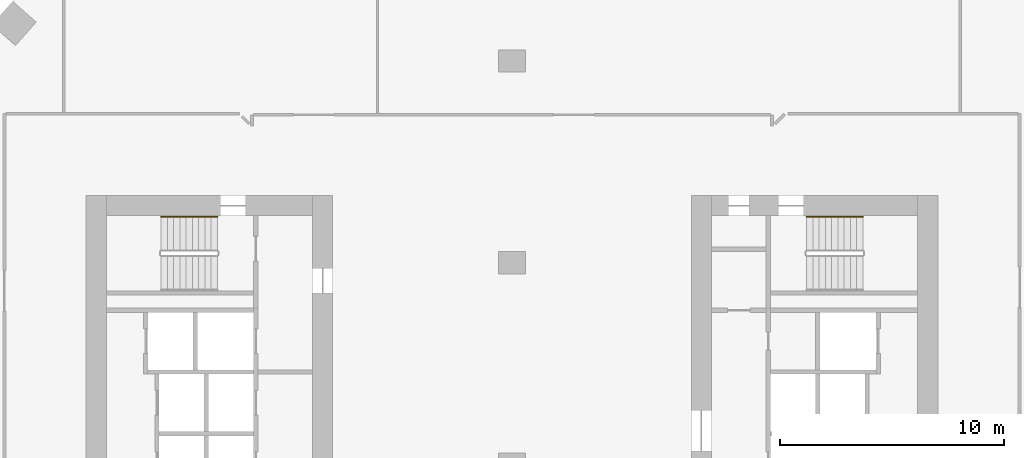
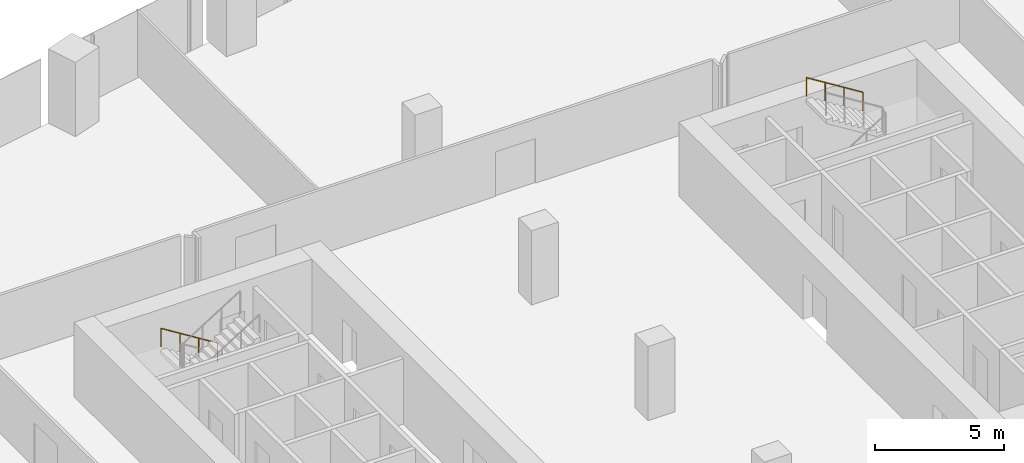
# One storey, part 38 of 38: 2 railings.
"""IFC4 building model written with IfcOpenShell, lengths in metres."""

from ifc_helpers import new_model, si_unit, direction, frame, origin, origin_2d, place, context, subcontext, project, spatial, circle, extrude, material, type_object, element, save


model = new_model("IFC4")

# Units and contexts
model_context = context("Model", 3, precision=1e-05, world=origin(), true_north=direction((0.0, 1.0)))
body_context = subcontext(model_context, "Body", "Model", "MODEL_VIEW")
ifc_project = project(units=[si_unit("LENGTHUNIT", "METRE"), si_unit("AREAUNIT", "SQUARE_METRE"), si_unit("VOLUMEUNIT", "CUBIC_METRE"), si_unit("PLANEANGLEUNIT", "RADIAN"), si_unit("MASSUNIT", "GRAM", prefix="KILO")], contexts=[model_context])

# Site, building, storey
site_placement = place(None, origin())
site = spatial("IfcSite", under=ifc_project, at=site_placement, CompositionType="ELEMENT")
building_placement = place(site_placement, origin())
building = spatial("IfcBuilding", under=site, at=building_placement, Name="Orlundy Tower", CompositionType="ELEMENT")
storey_placement = place(building_placement, frame((0.0, 0.0, 69.300048828125)))
storey = spatial("IfcBuildingStorey", under=building, at=storey_placement, Name="L16", CompositionType="ELEMENT", Elevation=69.300048828125)

# Railings
ifc_material = material(Name="Steel handrail", Category="steel")
railing_type = type_object("IfcRailingType", Name="Stair Handrail 900", PredefinedType="HANDRAIL", material=ifc_material)
for number, where, name in (
    (1, (-13.139892578125, 11.050048828125, 0.175048828125), "L16 ST-W1 stair handrail 1"),
    (2, (15.659912109375, 11.050048828125, 1.925048828125), "L16 ST-E2 stair handrail 2"),
):
    element("IfcRailing", number, at=place(storey_placement, frame(where)), inside=storey, type_object=railing_type, Name=name, PredefinedType="HANDRAIL", context=body_context, shape_type="SweptSolid", body=[
        extrude(circle(Radius=0.02392578125, at=origin_2d()), frame((0.0, 0.0, 0.8759765625), z_axis=(-0.848007534815, 0.0, 0.529984170421), x_axis=(0.0, -1.0, 0.0)), (0.0, 0.0, 1.0), 2.9716796875),
        extrude(circle(Radius=0.02099609375, at=origin_2d()), origin(), (0.0, 0.0, 1.0), 0.851806640625),
        extrude(circle(Radius=0.02099609375, at=origin_2d()), frame((-0.840087890625, 0.0, 0.52490234375)), (0.0, 0.0, 1.0), 0.851806640625),
        extrude(circle(Radius=0.02099609375, at=origin_2d()), frame((-1.679931640625, 0.0, 1.050048828125)), (0.0, 0.0, 1.0), 0.851806640625),
        extrude(circle(Radius=0.02099609375, at=origin_2d()), frame((-2.52001953125, 0.0, 1.574951171875)), (0.0, 0.0, 1.0), 0.851806640625),
    ])

save(model, "model.ifc")
